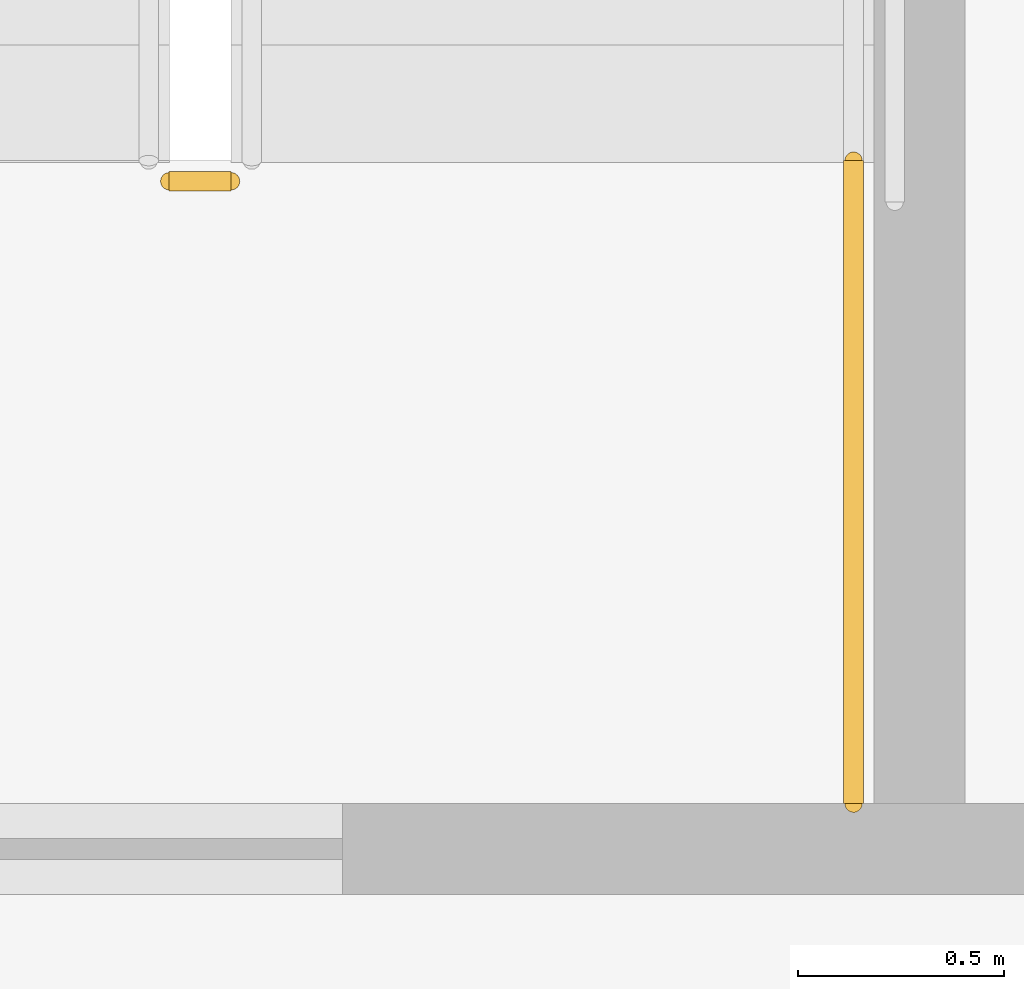
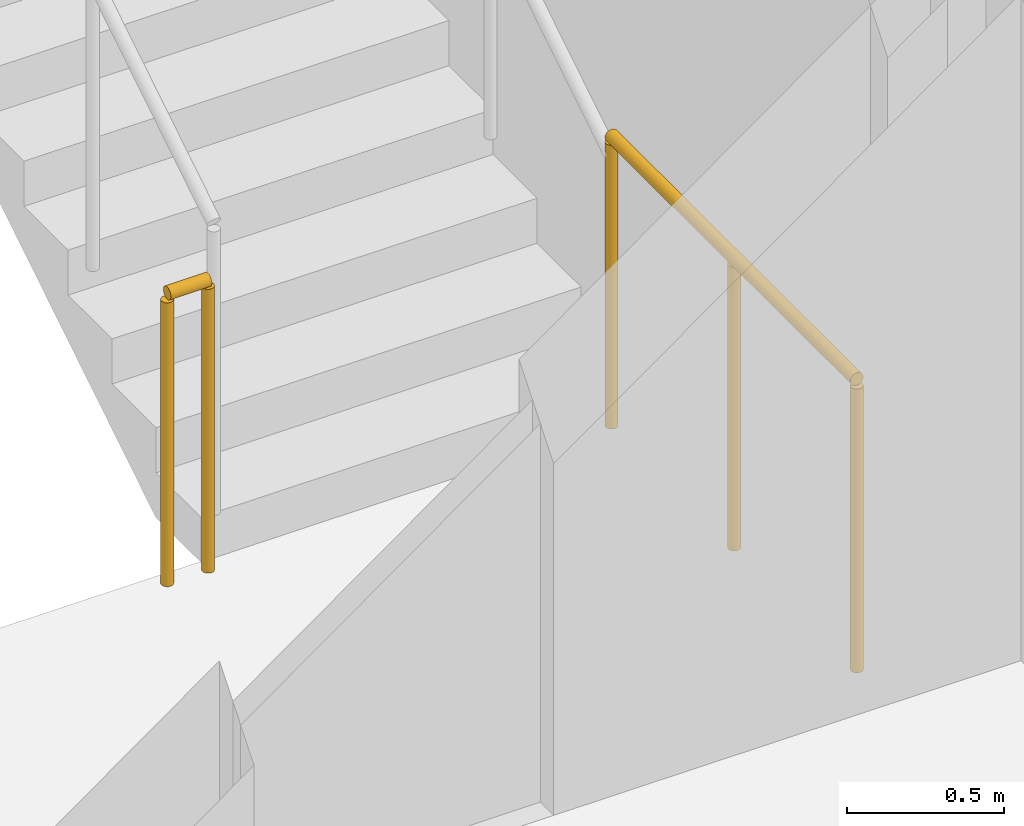
# One storey, part 12 of 16: 2 railings.
"""IFC4 building model written with IfcOpenShell, lengths in metres."""

from ifc_helpers import new_model, si_unit, direction, frame, origin, origin_2d, place, context, subcontext, project, spatial, circle, extrude, material, type_object, element, save


model = new_model("IFC4")

# Units and contexts
model_context = context("Model", 3, precision=1e-05, world=origin(), true_north=direction((0.0, 1.0)))
body_context = subcontext(model_context, "Body", "Model", "MODEL_VIEW")
ifc_project = project(units=[si_unit("LENGTHUNIT", "METRE"), si_unit("AREAUNIT", "SQUARE_METRE"), si_unit("VOLUMEUNIT", "CUBIC_METRE"), si_unit("PLANEANGLEUNIT", "RADIAN"), si_unit("MASSUNIT", "GRAM", prefix="KILO")], contexts=[model_context])

# Site, building, storey
site_placement = place(None, origin())
site = spatial("IfcSite", under=ifc_project, at=site_placement, CompositionType="ELEMENT")
building_placement = place(site_placement, origin())
building = spatial("IfcBuilding", under=site, at=building_placement, Name="Khairoan Windgate Tower", CompositionType="ELEMENT")
storey_placement = place(building_placement, frame((0.0, 0.0, 26.0)))
storey = spatial("IfcBuildingStorey", under=building, at=storey_placement, Name="L06", CompositionType="ELEMENT", Elevation=26.0)

# Railings
ifc_material = material(Name="Steel S355", Category="steel")
railing_type = type_object("IfcRailingType", Name="Stairwell Safety Guardrail SGR-1150", PredefinedType="GUARDRAIL", material=ifc_material)
railing_1_placement = place(storey_placement, frame((-17.7099609375, 2.909912109375, 0.0)))
element("IfcRailing", 1, at=railing_1_placement, inside=storey, type_object=railing_type, Name="L06 ST2 stair guard 7", PredefinedType="GUARDRAIL", context=body_context, shape_type="SweptSolid", body=[
    extrude(circle(Radius=0.02392578125, at=origin_2d()), frame((0.0, 0.0, 1.1259765625), z_axis=(-1.0, 0.0, 0.0), x_axis=(0.0, -1.0, 0.0)), (0.0, 0.0, 1.0), 0.150146484375),
    extrude(circle(Radius=0.02099609375, at=origin_2d()), origin(), (0.0, 0.0, 1.0), 1.101806640625),
    extrude(circle(Radius=0.02099609375, at=origin_2d()), frame((-0.150146484375, 0.0, 0.0)), (0.0, 0.0, 1.0), 1.101806640625),
])
railing_2_placement = place(storey_placement, frame((-16.199951171875, 1.39990234375, 0.0)))
element("IfcRailing", 2, at=railing_2_placement, inside=storey, type_object=railing_type, Name="L06 ST2 stair guard 8", PredefinedType="GUARDRAIL", context=body_context, shape_type="SweptSolid", body=[
    extrude(circle(Radius=0.02392578125, at=origin_2d()), frame((0.0, 0.0, 1.1259765625), z_axis=(0.0, 1.0, 0.0), x_axis=(-1.0, 0.0, 0.0)), (0.0, 0.0, 1.0), 1.56005859375),
    extrude(circle(Radius=0.02099609375, at=origin_2d()), origin(), (0.0, 0.0, 1.0), 1.101806640625),
    extrude(circle(Radius=0.02099609375, at=origin_2d()), frame((0.0, 0.780029296875, 0.0)), (0.0, 0.0, 1.0), 1.101806640625),
    extrude(circle(Radius=0.02099609375, at=origin_2d()), frame((0.0, 1.56005859375, 0.0)), (0.0, 0.0, 1.0), 1.101806640625),
])

save(model, "model.ifc")
